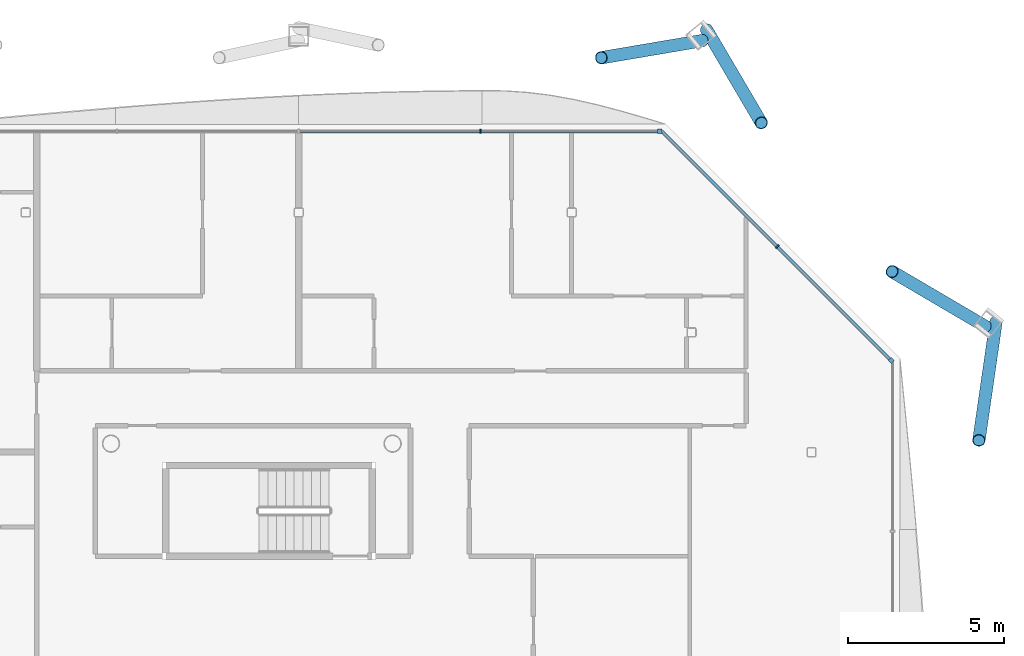
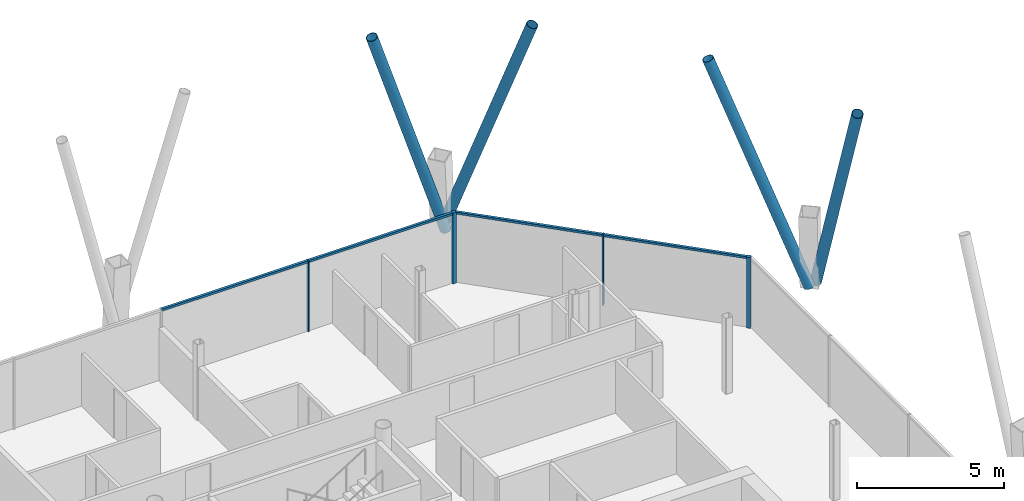
# One storey, part 10 of 18: 12 members, 2 elements without a shape of their own.
"""IFC4 building model written with IfcOpenShell, lengths in metres."""

from ifc_helpers import new_model, si_unit, direction, frame, origin, origin_2d, place, context, subcontext, project, spatial, rectangle, hollow_circle, extrude, material, material_profile, profile_set, type_object, element, aggregate, save


model = new_model("IFC4")

# Units and contexts
model_context = context("Model", 3, precision=1e-05, world=origin(), true_north=direction((0.0, 1.0)))
body_context = subcontext(model_context, "Body", "Model", "MODEL_VIEW")
ifc_project = project(units=[si_unit("LENGTHUNIT", "METRE"), si_unit("AREAUNIT", "SQUARE_METRE"), si_unit("VOLUMEUNIT", "CUBIC_METRE"), si_unit("PLANEANGLEUNIT", "RADIAN"), si_unit("MASSUNIT", "GRAM", prefix="KILO")], contexts=[model_context])

# Site, building, storey
site_placement = place(None, origin())
site = spatial("IfcSite", under=ifc_project, at=site_placement, CompositionType="ELEMENT")
building_placement = place(site_placement, origin())
building = spatial("IfcBuilding", under=site, at=building_placement, Name="Tskaro Facet Tower", CompositionType="ELEMENT")
storey_placement = place(building_placement, frame((0.0, 0.0, 217.199951171875)))
storey = spatial("IfcBuildingStorey", under=building, at=storey_placement, Name="L55", CompositionType="ELEMENT", Elevation=217.199951171875)

# Members
ifc_material_1 = material(Name="Steel S355J2H", Category="steel")
ifc_material_profile_1 = material_profile(ifc_material_1, hollow_circle(Radius=0.203125, WallThickness=0.02001953125, at=origin_2d()), Name="CHS 406.4x20")
ifc_profile_set_1 = profile_set([ifc_material_profile_1], Name="Steel S355J2H")
member_type_1 = type_object("IfcMemberType", Name="CHS 406.4x20 brace", PredefinedType="BRACE", material=ifc_profile_set_1)
member_1_placement = place(storey_placement, frame((19.2880859375, 12.89404296875, 0.0), z_axis=(-0.053727628218, -0.371807637523, 0.926753701177), x_axis=(0.989720038732, -0.14301833775, 0.0)))
element("IfcMember", 1, at=member_1_placement, inside=storey, type_object=member_type_1, Name="CHS 406.4x20 XB05B/5", PredefinedType="BRACE", context=body_context, shape_type="SweptSolid", body=[
    extrude(hollow_circle(Radius=0.203125, WallThickness=0.02001953125, at=origin_2d()), origin(), (0.0, 0.0, 1.0), 10.19677734375),
])
for number, where, z_axis, x_axis, name in (
    (2, (18.94140625, 12.750244140625, 0.0), (-0.295918818534, 0.173911453254, 0.939248028619), (-0.506677147958, -0.86213587545, 0.0), "CHS 406.4x20 XB06A/5"),
    (3, (10.03759765625, 22.228759765625, 0.0), (0.173911453254, -0.295918818534, 0.939248028619), (0.86213587545, 0.506677147958, 0.0), "CHS 406.4x20 XB06B/5"),
):
    element("IfcMember", number, at=place(storey_placement, frame(where, z_axis=z_axis, x_axis=x_axis)), inside=storey, type_object=member_type_1, Name=name, PredefinedType="BRACE", context=body_context, shape_type="SweptSolid", body=[
        extrude(hollow_circle(Radius=0.203125, WallThickness=0.02001953125, at=origin_2d()), origin(), (0.0, 0.0, 1.0), 10.061279296875),
    ])
member_2_placement = place(storey_placement, frame((9.89404296875, 21.8818359375, 0.0), z_axis=(-0.322373283745, -0.054811270979, 0.945024439103), x_axis=(0.167618714997, -0.985851898808, 0.0)))
element("IfcMember", 4, at=member_2_placement, inside=storey, type_object=member_type_1, Name="CHS 406.4x20 XB07A/5", PredefinedType="BRACE", context=body_context, shape_type="SweptSolid", body=[
    extrude(hollow_circle(Radius=0.203125, WallThickness=0.02001953125, at=origin_2d()), origin(), (0.0, 0.0, 1.0), 9.999755859375),
])

# Curtain wall, member
ifc_material_2 = material(Name="Bronze anodised aluminium 6063-T6", Category="aluminium")
curtain_wall_type = type_object("IfcCurtainWallType", Name="Bronze residence curtain wall (FW3)", PredefinedType="NOTDEFINED", material=ifc_material_2)
curtain_wall_1_placement = place(storey_placement, origin())
curtain_wall_1 = element("IfcCurtainWall", 5, at=curtain_wall_1_placement, inside=storey, type_object=curtain_wall_type, Name="FW3 north-east facet L55", PredefinedType="NOTDEFINED")
ifc_material_profile_2 = material_profile(ifc_material_2, rectangle(XDim=0.139892578125, YDim=0.139892578125, at=origin_2d()), Name="Corner post 140x140")
ifc_profile_set_2 = profile_set([ifc_material_profile_2], Name="Bronze anodised aluminium 6063-T6")
member_type_2 = type_object("IfcMemberType", Name="FW3 bronze corner post 140x140", PredefinedType="MULLION", material=ifc_profile_set_2)
member_3_placement = place(storey_placement, frame((15.935546875, 11.658447265625, 0.0), z_axis=(0.0, 0.0, 1.0), x_axis=(-0.707106781187, 0.707106781187, 0.0)))
member_3 = element("IfcMember", 6, at=member_3_placement, type_object=member_type_2, Name="FW3 north-east corner post", PredefinedType="MULLION", context=body_context, shape_type="SweptSolid", body=[
    extrude(rectangle(XDim=0.139892578125, YDim=0.139892578125, at=origin_2d()), origin(), (0.0, 0.0, 1.0), 2.949951171875),
])

curtain_wall_2_placement = place(storey_placement, origin())
curtain_wall_2 = element("IfcCurtainWall", 7, at=curtain_wall_2_placement, inside=storey, type_object=curtain_wall_type, Name="FW3 north facet L55", PredefinedType="NOTDEFINED")
member_4_placement = place(storey_placement, frame((8.5390625, 18.985107421875, 0.0), z_axis=(0.0, 0.0, 1.0), x_axis=(-1.0, 0.0, 0.0)))
member_4 = element("IfcMember", 8, at=member_4_placement, type_object=member_type_2, Name="FW3 north corner post", PredefinedType="MULLION", context=body_context, shape_type="SweptSolid", body=[
    extrude(rectangle(XDim=0.139892578125, YDim=0.139892578125, at=origin_2d()), origin(), (0.0, 0.0, 1.0), 2.949951171875),
])

# Member
ifc_material_profile_3 = material_profile(ifc_material_2, rectangle(XDim=0.050048828125, YDim=0.139892578125, at=origin_2d()), Name="Mullion 50x140")
ifc_profile_set_3 = profile_set([ifc_material_profile_3], Name="Bronze anodised aluminium 6063-T6")
member_type_3 = type_object("IfcMemberType", Name="FW3 bronze mullion 50x140", PredefinedType="MULLION", material=ifc_profile_set_3)
member_5_placement = place(storey_placement, frame((12.297119140625, 15.297119140625, 0.0), z_axis=(0.0, 0.0, 1.0), x_axis=(-0.707106781187, 0.707106781187, 0.0)))
member_5 = element("IfcMember", 9, at=member_5_placement, type_object=member_type_3, Name="FW3 north-east mullion 1", PredefinedType="MULLION", context=body_context, shape_type="SweptSolid", body=[
    extrude(rectangle(XDim=0.050048828125, YDim=0.139892578125, at=origin_2d()), origin(), (0.0, 0.0, 1.0), 2.949951171875),
])

member_6_placement = place(storey_placement, frame((2.804443359375, 18.985107421875, 0.0), z_axis=(0.0, 0.0, 1.0), x_axis=(-1.0, 0.0, 0.0)))
member_6 = element("IfcMember", 10, at=member_6_placement, type_object=member_type_3, Name="FW3 north mullion 1", PredefinedType="MULLION", context=body_context, shape_type="SweptSolid", body=[
    extrude(rectangle(XDim=0.050048828125, YDim=0.139892578125, at=origin_2d()), origin(), (0.0, 0.0, 1.0), 2.949951171875),
])

ifc_material_profile_4 = material_profile(ifc_material_2, rectangle(XDim=0.10009765625, YDim=0.090087890625, at=origin_2d()), Name="Transom 100x90")
ifc_profile_set_4 = profile_set([ifc_material_profile_4], Name="Bronze anodised aluminium 6063-T6")
member_type_4 = type_object("IfcMemberType", Name="FW3 bronze transom 100x90", PredefinedType="USERDEFINED", material=ifc_profile_set_4)
member_7_placement = place(storey_placement, frame((15.885986328125, 11.7080078125, 2.905029296875), z_axis=(-0.707106781187, 0.707106781187, 0.0), x_axis=(-0.707106781187, -0.707106781187, 0.0)))
member_7 = element("IfcMember", 11, at=member_7_placement, type_object=member_type_4, Name="FW3 north-east transom 1.1", ObjectType="TRANSOM", PredefinedType="USERDEFINED", context=body_context, shape_type="SweptSolid", body=[
    extrude(rectangle(XDim=0.10009765625, YDim=0.090087890625, at=origin_2d()), origin(), (0.0, 0.0, 1.0), 5.050537109375),
])

member_8_placement = place(storey_placement, frame((12.279296875, 15.314697265625, 2.905029296875), z_axis=(-0.707106781187, 0.707106781187, 0.0), x_axis=(-0.707106781187, -0.707106781187, 0.0)))
member_8 = element("IfcMember", 12, at=member_8_placement, type_object=member_type_4, Name="FW3 north-east transom 2.1", ObjectType="TRANSOM", PredefinedType="USERDEFINED", context=body_context, shape_type="SweptSolid", body=[
    extrude(rectangle(XDim=0.10009765625, YDim=0.090087890625, at=origin_2d()), origin(), (0.0, 0.0, 1.0), 5.190673828125),
])

aggregate(curtain_wall_1, [member_3, member_5, member_7, member_8])

member_9_placement = place(storey_placement, frame((8.468994140625, 18.985107421875, 2.905029296875), z_axis=(-1.0, 0.0, 0.0), x_axis=(0.0, -1.0, 0.0)))
member_9 = element("IfcMember", 13, at=member_9_placement, type_object=member_type_4, Name="FW3 north transom 1.1", ObjectType="TRANSOM", PredefinedType="USERDEFINED", context=body_context, shape_type="SweptSolid", body=[
    extrude(rectangle(XDim=0.10009765625, YDim=0.090087890625, at=origin_2d()), origin(), (0.0, 0.0, 1.0), 5.639404296875),
])

member_10_placement = place(storey_placement, frame((2.779541015625, 18.985107421875, 2.905029296875), z_axis=(-1.0, 0.0, 0.0), x_axis=(0.0, -1.0, 0.0)))
member_10 = element("IfcMember", 14, at=member_10_placement, type_object=member_type_4, Name="FW3 north transom 2.1", ObjectType="TRANSOM", PredefinedType="USERDEFINED", context=body_context, shape_type="SweptSolid", body=[
    extrude(rectangle(XDim=0.10009765625, YDim=0.090087890625, at=origin_2d()), origin(), (0.0, 0.0, 1.0), 5.754638671875),
])

aggregate(curtain_wall_2, [member_4, member_6, member_9, member_10])

save(model, "model.ifc")
